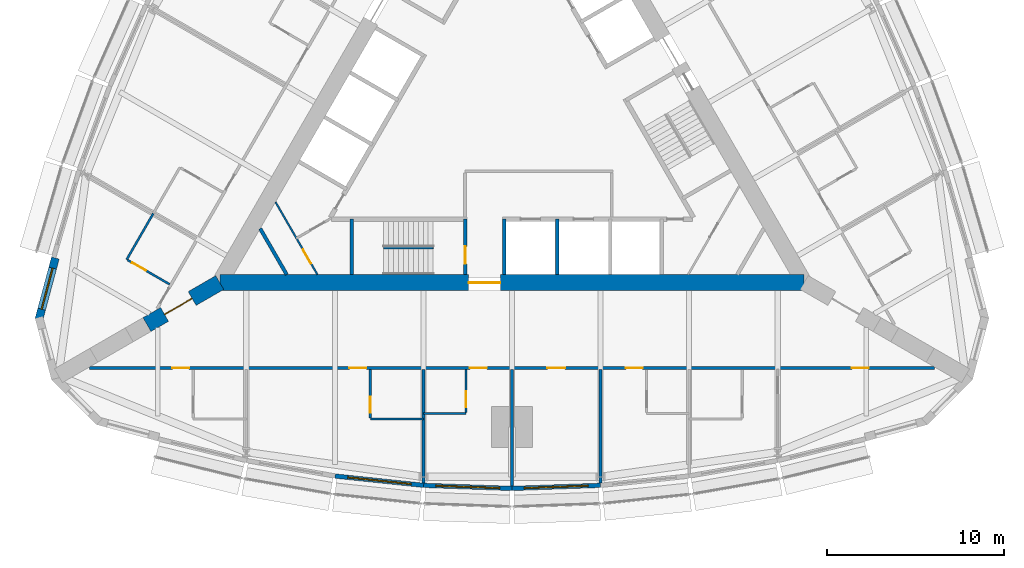
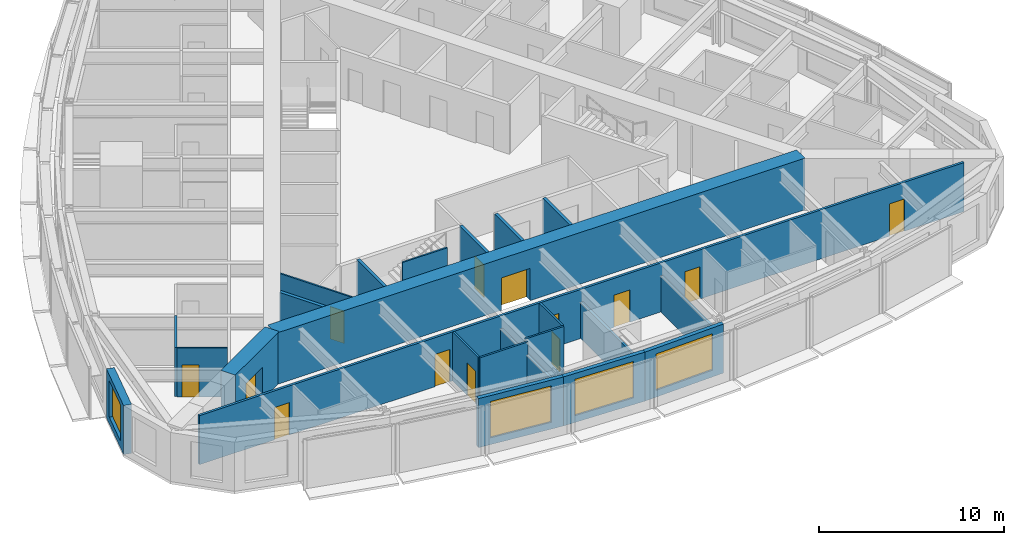
# One storey, part 8 of 14: 23 walls, 13 doors, 4 windows, 17 openings.
"""IFC4 building model written with IfcOpenShell, lengths in metres."""

from ifc_helpers import new_model, si_unit, direction, frame, frame_2d, origin, place, context, subcontext, project, spatial, rectangle, extrude, material, layer, layer_set, type_object, element, fill, save


model = new_model("IFC4")

# Units and contexts
model_context = context("Model", 3, precision=1e-05, world=origin(), true_north=direction((0.0, 1.0)))
body_context = subcontext(model_context, "Body", "Model", "MODEL_VIEW")
ifc_project = project(units=[si_unit("LENGTHUNIT", "METRE"), si_unit("AREAUNIT", "SQUARE_METRE"), si_unit("VOLUMEUNIT", "CUBIC_METRE"), si_unit("PLANEANGLEUNIT", "RADIAN"), si_unit("MASSUNIT", "GRAM", prefix="KILO")], contexts=[model_context])

# Site, building, storey
site_placement = place(None, origin())
site = spatial("IfcSite", under=ifc_project, at=site_placement, CompositionType="ELEMENT")
building_placement = place(site_placement, origin())
building = spatial("IfcBuilding", under=site, at=building_placement, Name="Trikona Tower", CompositionType="ELEMENT")
storey_placement = place(building_placement, frame((0.0, 0.0, 124.89990234375)))
storey = spatial("IfcBuildingStorey", under=building, at=storey_placement, Name="L32", CompositionType="ELEMENT", Elevation=124.89990234375)

# Wall
ifc_material_1 = material(Name="Metal stud and cement board", Category="gypsum")
ifc_layer_1 = layer(ifc_material_1, 0.1201171875)
ifc_layer_set_1 = layer_set([ifc_layer_1], Name="Bathroom wall 120")
wall_type_1 = type_object("IfcWallType", Name="Bathroom wall 120", PredefinedType="PLUMBINGWALL", material=ifc_layer_set_1)
wall_1_placement = place(storey_placement, frame((-8.0, -17.226318359375, 0.0), z_axis=(0.0, 0.0, 1.0), x_axis=(1.0, 0.0, 0.0)))
element("IfcWall", 1, at=wall_1_placement, inside=storey, type_object=wall_type_1, Name="Bathroom wall 3202", PredefinedType="PLUMBINGWALL", context=body_context, shape_type="SweptSolid", body=[
    extrude(rectangle(XDim=3.0, YDim=0.1201171875, at=frame_2d((1.5, 0.0))), origin(), (0.0, 0.0, 1.0), 3.235107421875),
])

# Wall, opening, door
wall_2_placement = place(storey_placement, frame((-8.0, -14.42626953125, 0.0), z_axis=(0.0, 0.0, 1.0), x_axis=(0.0, -1.0, 0.0)))
wall_2 = element("IfcWall", 2, at=wall_2_placement, inside=storey, type_object=wall_type_1, Name="Bathroom wall 3202", PredefinedType="PLUMBINGWALL", context=body_context, shape_type="SweptSolid", body=[
    extrude(rectangle(XDim=2.739990234375, YDim=0.1201171875, at=frame_2d((1.3701171875, 0.0))), origin(), (0.0, 0.0, 1.0), 3.235107421875),
])
opening_1_placement = place(wall_2_placement, frame((1.550048828125, 0.0, 0.0)))
opening_1 = element("IfcOpeningElement", 3, at=opening_1_placement, cuts=wall_2, Name="Opening D2", PredefinedType="OPENING", context=body_context, shape_type="SweptSolid", body=[
    extrude(rectangle(XDim=0.89990234375, YDim=2.1298828125, at=frame_2d((0.449951171875, 1.06494140625))), frame((0.0, 0.070068359375, 0.0), z_axis=(0.0, -1.0, 0.0), x_axis=(1.0, 0.0, 0.0)), (0.0, 0.0, 1.0), 0.14013671875),
])
ifc_material_2 = material(Name="Steel door frame with solid-core timber leaf", Category="steel")
door_type_1 = type_object("IfcDoorType", Name="Bathroom door 900x2130", OperationType="SLIDING_TO_LEFT", PredefinedType="DOOR", material=ifc_material_2)
door_1_placement = place(opening_1_placement, origin())
door_1 = element("IfcDoor", 4, at=door_1_placement, inside=storey, type_object=door_type_1, Name="Bathroom door 3202", OperationType="SLIDING_TO_LEFT", OverallHeight=2.1298828125, OverallWidth=0.89990234375, PredefinedType="DOOR", context=body_context, shape_type="SweptSolid", body=[
    extrude(rectangle(XDim=0.89990234375, YDim=2.1298828125, at=frame_2d((0.449951171875, 1.06494140625))), frame((0.0, 0.02490234375, 0.0), z_axis=(0.0, -1.0, 0.0), x_axis=(1.0, 0.0, 0.0)), (0.0, 0.0, 1.0), 0.050048828125),
])
fill(opening_1, door_1)

# Wall
wall_3_placement = place(storey_placement, frame((-5.0, -16.92626953125, 0.0), z_axis=(0.0, 0.0, 1.0), x_axis=(1.0, 0.0, 0.0)))
element("IfcWall", 5, at=wall_3_placement, inside=storey, type_object=wall_type_1, Name="Bathroom wall 3203", PredefinedType="PLUMBINGWALL", context=body_context, shape_type="SweptSolid", body=[
    extrude(rectangle(XDim=2.39990234375, YDim=0.1201171875, at=frame_2d((1.199951171875, 0.0))), origin(), (0.0, 0.0, 1.0), 3.235107421875),
])

# Wall, opening, door
wall_4_placement = place(storey_placement, frame((-2.60009765625, -14.42626953125, 0.0), z_axis=(0.0, 0.0, 1.0), x_axis=(0.0, -1.0, 0.0)))
wall_4 = element("IfcWall", 6, at=wall_4_placement, inside=storey, type_object=wall_type_1, Name="Bathroom wall 3203", PredefinedType="PLUMBINGWALL", context=body_context, shape_type="SweptSolid", body=[
    extrude(rectangle(XDim=2.43994140625, YDim=0.1201171875, at=frame_2d((1.219970703125, 0.0))), origin(), (0.0, 0.0, 1.0), 3.235107421875),
])
opening_2_placement = place(wall_4_placement, frame((1.25, 0.0, 0.0)))
opening_2 = element("IfcOpeningElement", 7, at=opening_2_placement, cuts=wall_4, Name="Opening D2", PredefinedType="OPENING", context=body_context, shape_type="SweptSolid", body=[
    extrude(rectangle(XDim=0.89990234375, YDim=2.1298828125, at=frame_2d((0.449951171875, 1.06494140625))), frame((0.0, 0.070068359375, 0.0), z_axis=(0.0, -1.0, 0.0), x_axis=(1.0, 0.0, 0.0)), (0.0, 0.0, 1.0), 0.14013671875),
])
door_2_placement = place(opening_2_placement, origin())
door_2 = element("IfcDoor", 8, at=door_2_placement, inside=storey, type_object=door_type_1, Name="Bathroom door 3203", OperationType="SLIDING_TO_LEFT", OverallHeight=2.1298828125, OverallWidth=0.89990234375, PredefinedType="DOOR", context=body_context, shape_type="SweptSolid", body=[
    extrude(rectangle(XDim=0.89990234375, YDim=2.1298828125, at=frame_2d((0.449951171875, 1.06494140625))), frame((0.0, 0.02490234375, 0.0), z_axis=(0.0, -1.0, 0.0), x_axis=(1.0, 0.0, 0.0)), (0.0, 0.0, 1.0), 0.050048828125),
])
fill(opening_2, door_2)

# Wall
wall_5_placement = place(storey_placement, frame((-20.25341796875, -5.627197265625, 0.0), z_axis=(0.0, 0.0, 1.0), x_axis=(-0.499990139034, -0.866031096941, 0.0)))
element("IfcWall", 9, at=wall_5_placement, inside=storey, type_object=wall_type_1, Name="Bathroom wall 3218", PredefinedType="PLUMBINGWALL", context=body_context, shape_type="SweptSolid", body=[
    extrude(rectangle(XDim=3.0, YDim=0.1201171875, at=frame_2d((1.5, 0.0))), origin(), (0.0, 0.0, 1.0), 3.235107421875),
])

# Wall, opening, door
wall_6_placement = place(storey_placement, frame((-19.32861328125, -9.625244140625, 0.0), z_axis=(0.0, 0.0, 1.0), x_axis=(-0.866035715982, 0.499982138324, 0.0)))
wall_6 = element("IfcWall", 10, at=wall_6_placement, inside=storey, type_object=wall_type_1, Name="Bathroom wall 3218", PredefinedType="PLUMBINGWALL", context=body_context, shape_type="SweptSolid", body=[
    extrude(rectangle(XDim=2.73974609375, YDim=0.1201171875, at=frame_2d((1.369873046875, 0.0))), origin(), (0.0, 0.0, 1.0), 3.235107421875),
])
opening_3_placement = place(wall_6_placement, frame((1.550048828125, 0.0, 0.0)))
opening_3 = element("IfcOpeningElement", 11, at=opening_3_placement, cuts=wall_6, Name="Opening D2", PredefinedType="OPENING", context=body_context, shape_type="SweptSolid", body=[
    extrude(rectangle(XDim=0.89990234375, YDim=2.1298828125, at=frame_2d((0.449951171875, 1.06494140625))), frame((0.0, 0.070068359375, 0.0), z_axis=(0.0, -1.0, 0.0), x_axis=(1.0, 0.0, 0.0)), (0.0, 0.0, 1.0), 0.14013671875),
])
door_3_placement = place(opening_3_placement, origin())
door_3 = element("IfcDoor", 12, at=door_3_placement, inside=storey, type_object=door_type_1, Name="Bathroom door 3218", OperationType="SLIDING_TO_LEFT", OverallHeight=2.1298828125, OverallWidth=0.89990234375, PredefinedType="DOOR", context=body_context, shape_type="SweptSolid", body=[
    extrude(rectangle(XDim=0.89990234375, YDim=2.1298828125, at=frame_2d((0.449951171875, 1.06494140625))), frame((0.0, 0.02490234375, 0.0), z_axis=(0.0, -1.0, 0.0), x_axis=(1.0, 0.0, 0.0)), (0.0, 0.0, 1.0), 0.050048828125),
])
fill(opening_3, door_3)

# Wall, opening, window
ifc_material_3 = material(Name="Brick-faced precast concrete", Category="masonry")
ifc_layer_2 = layer(ifc_material_3, 0.449951171875)
ifc_layer_set_2 = layer_set([ifc_layer_2], Name="Brick-faced corner wall 450")
wall_type_2 = type_object("IfcWallType", Name="Brick-faced corner wall 450", PredefinedType="SOLIDWALL", material=ifc_layer_set_2)
wall_7_placement = place(storey_placement, frame((-25.78271484375, -8.14111328125, 0.0), z_axis=(0.0, 0.0, 1.0), x_axis=(-0.258823421857, -0.965924653531, 0.0)))
wall_7 = element("IfcWall", 13, at=wall_7_placement, inside=storey, type_object=wall_type_2, Name="External wall L32-32", PredefinedType="SOLIDWALL", context=body_context, shape_type="SweptSolid", body=[
    extrude(rectangle(XDim=3.58642578125, YDim=0.449951171875, at=frame_2d((1.793212890625, 0.0))), origin(), (0.0, 0.0, 1.0), 3.235107421875),
])
opening_4_placement = place(wall_7_placement, frame((0.593017578125, 0.0, 0.449951171875)))
opening_4 = element("IfcOpeningElement", 14, at=opening_4_placement, cuts=wall_7, Name="Opening W2424", PredefinedType="OPENING", context=body_context, shape_type="SweptSolid", body=[
    extrude(rectangle(XDim=2.39990234375, YDim=2.39990234375, at=frame_2d((1.199951171875, 1.199951171875))), frame((0.0, 0.23486328125, 0.0), z_axis=(0.0, -1.0, 0.0), x_axis=(1.0, 0.0, 0.0)), (0.0, 0.0, 1.0), 0.469970703125),
])
ifc_material_4 = material(Name="Aluminium-framed double glazing", Category="aluminium")
window_type_1 = type_object("IfcWindowType", Name="Window 2400x2400", PartitioningType="SINGLE_PANEL", PredefinedType="WINDOW", material=ifc_material_4)
window_1_placement = place(opening_4_placement, origin())
window_1 = element("IfcWindow", 15, at=window_1_placement, inside=storey, type_object=window_type_1, Name="Window 3218", OverallHeight=2.39990234375, OverallWidth=2.39990234375, PartitioningType="SINGLE_PANEL", PredefinedType="WINDOW", context=body_context, shape_type="SweptSolid", body=[
    extrude(rectangle(XDim=2.39990234375, YDim=2.39990234375, at=frame_2d((1.199951171875, 1.199951171875))), frame((0.0, 0.030029296875, 0.0), z_axis=(0.0, -1.0, 0.0), x_axis=(1.0, 0.0, 0.0)), (0.0, 0.0, 1.0), 0.06005859375),
])
fill(opening_4, window_1)

# Wall, opening, door
ifc_material_5 = material(Name="Concrete f'c 10000 psi", Category="concrete")
ifc_layer_3 = layer(ifc_material_5, 0.89990234375)
ifc_layer_set_3 = layer_set([ifc_layer_3], Name="Buttress wall 900")
wall_type_3 = type_object("IfcWallType", Name="Buttress wall 900", PredefinedType="SHEAR", material=ifc_layer_set_3)
wall_8_placement = place(storey_placement, frame((-16.5, -9.5263671875, 0.0), z_axis=(0.0, 0.0, 1.0), x_axis=(-0.866031398331, -0.499989616998, 0.0)))
wall_8 = element("IfcWall", 16, at=wall_8_placement, inside=storey, type_object=wall_type_3, Name="Buttress wall 3", PredefinedType="SHEAR", context=body_context, shape_type="SweptSolid", body=[
    extrude(rectangle(XDim=4.74609375, YDim=0.89990234375, at=frame_2d((2.373046875, 0.0))), origin(), (0.0, 0.0, 1.0), 3.400146484375),
])
opening_5_placement = place(wall_8_placement, frame((1.800048828125, 0.0, 0.0)))
opening_5 = element("IfcOpeningElement", 17, at=opening_5_placement, cuts=wall_8, Name="Opening D10", PredefinedType="OPENING", context=body_context, shape_type="SweptSolid", body=[
    extrude(rectangle(XDim=1.800048828125, YDim=2.1298828125, at=frame_2d((0.89990234375, 1.06494140625))), frame((0.0, 0.4599609375, 0.0), z_axis=(0.0, -1.0, 0.0), x_axis=(1.0, 0.0, 0.0)), (0.0, 0.0, 1.0), 0.919921875),
])
ifc_material_6 = material(Name="Hollow metal door and frame", Category="steel")
door_type_2 = type_object("IfcDoorType", Name="Cross-corridor door pair 1800x2130", OperationType="DOUBLE_DOOR_DOUBLE_SWING", PredefinedType="DOOR", material=ifc_material_6)
door_4_placement = place(opening_5_placement, origin())
door_4 = element("IfcDoor", 18, at=door_4_placement, inside=storey, type_object=door_type_2, Name="Cross-corridor door 3", OperationType="DOUBLE_DOOR_DOUBLE_SWING", OverallHeight=2.1298828125, OverallWidth=1.800048828125, PredefinedType="DOOR", context=body_context, shape_type="SweptSolid", body=[
    extrude(rectangle(XDim=1.800048828125, YDim=2.1298828125, at=frame_2d((0.89990234375, 1.06494140625))), frame((0.0, 0.02490234375, 0.0), z_axis=(0.0, -1.0, 0.0), x_axis=(1.0, 0.0, 0.0)), (0.0, 0.0, 1.0), 0.050048828125),
])
fill(opening_5, door_4)

ifc_material_7 = material(Name="Concrete f'c 10000 psi", Category="concrete")
ifc_layer_4 = layer(ifc_material_7, 0.89990234375)
ifc_layer_set_4 = layer_set([ifc_layer_4], Name="Core wall 900")
wall_type_4 = type_object("IfcWallType", Name="Core wall 900", PredefinedType="SHEAR", material=ifc_layer_set_4)
wall_9_placement = place(storey_placement, frame((-16.5, -9.5263671875, 0.0), z_axis=(0.0, 0.0, 1.0), x_axis=(1.0, 0.0, 0.0)))
wall_9 = element("IfcWall", 19, at=wall_9_placement, inside=storey, type_object=wall_type_4, Name="Core wall A", PredefinedType="SHEAR", context=body_context, shape_type="SweptSolid", body=[
    extrude(rectangle(XDim=33.0, YDim=0.89990234375, at=frame_2d((16.5, 0.0))), origin(), (0.0, 0.0, 1.0), 3.400146484375),
])
opening_6_placement = place(wall_9_placement, frame((14.050048828125, 0.0, 0.0)))
opening_6 = element("IfcOpeningElement", 20, at=opening_6_placement, cuts=wall_9, Name="Opening D6", PredefinedType="OPENING", context=body_context, shape_type="SweptSolid", body=[
    extrude(rectangle(XDim=1.800048828125, YDim=2.1298828125, at=frame_2d((0.89990234375, 1.06494140625))), frame((0.0, 0.4599609375, 0.0), z_axis=(0.0, -1.0, 0.0), x_axis=(1.0, 0.0, 0.0)), (0.0, 0.0, 1.0), 0.919921875),
])
ifc_material_8 = material(Name="Hollow metal door and frame", Category="steel")
door_type_3 = type_object("IfcDoorType", Name="Lobby door pair 1800x2130", OperationType="DOUBLE_DOOR_SINGLE_SWING", PredefinedType="DOOR", material=ifc_material_8)
door_5_placement = place(opening_6_placement, origin())
door_5 = element("IfcDoor", 21, at=door_5_placement, inside=storey, type_object=door_type_3, Name="Fire service lift lobby door", OperationType="DOUBLE_DOOR_SINGLE_SWING", OverallHeight=2.1298828125, OverallWidth=1.800048828125, PredefinedType="DOOR", context=body_context, shape_type="SweptSolid", body=[
    extrude(rectangle(XDim=1.800048828125, YDim=2.1298828125, at=frame_2d((0.89990234375, 1.06494140625))), frame((0.0, 0.02490234375, 0.0), z_axis=(0.0, -1.0, 0.0), x_axis=(1.0, 0.0, 0.0)), (0.0, 0.0, 1.0), 0.050048828125),
])
fill(opening_6, door_5)

# Wall, openings, doors
ifc_material_9 = material(Name="Metal stud and gypsum board, 1-hour", Category="gypsum")
ifc_layer_5 = layer(ifc_material_9, 0.14990234375)
ifc_layer_set_5 = layer_set([ifc_layer_5], Name="Corridor wall 150")
wall_type_5 = type_object("IfcWallType", Name="Corridor wall 150", PredefinedType="PARTITIONING", material=ifc_layer_set_5)
wall_10_placement = place(storey_placement, frame((-23.857177734375, -14.351318359375, 0.0), z_axis=(0.0, 0.0, 1.0), x_axis=(1.0, 0.0, 0.0)))
wall_10 = element("IfcWall", 22, at=wall_10_placement, inside=storey, type_object=wall_type_5, Name="Corridor wall L32-1", PredefinedType="PARTITIONING", context=body_context, shape_type="SweptSolid", body=[
    extrude(rectangle(XDim=47.71435546875, YDim=0.14990234375, at=frame_2d((23.857177734375, 0.0))), origin(), (0.0, 0.0, 1.0), 3.235107421875),
])
opening_7_placement = place(wall_10_placement, frame((4.68212890625, 0.0, 0.0)))
opening_7 = element("IfcOpeningElement", 23, at=opening_7_placement, cuts=wall_10, Name="Opening D1", PredefinedType="OPENING", context=body_context, shape_type="SweptSolid", body=[
    extrude(rectangle(XDim=0.949951171875, YDim=2.1298828125, at=frame_2d((0.47509765625, 1.06494140625))), frame((0.0, 0.0849609375, 0.0), z_axis=(0.0, -1.0, 0.0), x_axis=(1.0, 0.0, 0.0)), (0.0, 0.0, 1.0), 0.169921875),
])
opening_8_placement = place(wall_10_placement, frame((14.68212890625, 0.0, 0.0)))
opening_8 = element("IfcOpeningElement", 24, at=opening_8_placement, cuts=wall_10, Name="Opening D1", PredefinedType="OPENING", context=body_context, shape_type="SweptSolid", body=[
    extrude(rectangle(XDim=0.949951171875, YDim=2.1298828125, at=frame_2d((0.47509765625, 1.06494140625))), frame((0.0, 0.0849609375, 0.0), z_axis=(0.0, -1.0, 0.0), x_axis=(1.0, 0.0, 0.0)), (0.0, 0.0, 1.0), 0.169921875),
])
opening_9_placement = place(wall_10_placement, frame((21.482177734375, 0.0, 0.0)))
opening_9 = element("IfcOpeningElement", 25, at=opening_9_placement, cuts=wall_10, Name="Opening D1", PredefinedType="OPENING", context=body_context, shape_type="SweptSolid", body=[
    extrude(rectangle(XDim=0.949951171875, YDim=2.1298828125, at=frame_2d((0.47509765625, 1.06494140625))), frame((0.0, 0.0849609375, 0.0), z_axis=(0.0, -1.0, 0.0), x_axis=(1.0, 0.0, 0.0)), (0.0, 0.0, 1.0), 0.169921875),
])
opening_10_placement = place(wall_10_placement, frame((25.857177734375, 0.0, 0.0)))
opening_10 = element("IfcOpeningElement", 26, at=opening_10_placement, cuts=wall_10, Name="Opening D3", PredefinedType="OPENING", context=body_context, shape_type="SweptSolid", body=[
    extrude(rectangle(XDim=1.0, YDim=2.1298828125, at=frame_2d((0.5, 1.06494140625))), frame((0.0, 0.0849609375, 0.0), z_axis=(0.0, -1.0, 0.0), x_axis=(1.0, 0.0, 0.0)), (0.0, 0.0, 1.0), 0.169921875),
])
opening_11_placement = place(wall_10_placement, frame((30.281982421875, 0.0, 0.0)))
opening_11 = element("IfcOpeningElement", 27, at=opening_11_placement, cuts=wall_10, Name="Opening D1", PredefinedType="OPENING", context=body_context, shape_type="SweptSolid", body=[
    extrude(rectangle(XDim=0.949951171875, YDim=2.1298828125, at=frame_2d((0.47509765625, 1.06494140625))), frame((0.0, 0.0849609375, 0.0), z_axis=(0.0, -1.0, 0.0), x_axis=(1.0, 0.0, 0.0)), (0.0, 0.0, 1.0), 0.169921875),
])
opening_12_placement = place(wall_10_placement, frame((43.041015625, 0.0, 0.0)))
opening_12 = element("IfcOpeningElement", 28, at=opening_12_placement, cuts=wall_10, Name="Opening D1", PredefinedType="OPENING", context=body_context, shape_type="SweptSolid", body=[
    extrude(rectangle(XDim=0.949951171875, YDim=2.1298828125, at=frame_2d((0.47509765625, 1.06494140625))), frame((0.0, 0.0849609375, 0.0), z_axis=(0.0, -1.0, 0.0), x_axis=(1.0, 0.0, 0.0)), (0.0, 0.0, 1.0), 0.169921875),
])
ifc_material_10 = material(Name="Steel door frame with solid-core timber leaf", Category="steel")
door_type_4 = type_object("IfcDoorType", Name="Guest room door 950x2130", OperationType="SINGLE_SWING_LEFT", PredefinedType="DOOR", material=ifc_material_10)
door_6_placement = place(opening_7_placement, origin())
door_6 = element("IfcDoor", 29, at=door_6_placement, inside=storey, type_object=door_type_4, Name="Room door 3201", OperationType="SINGLE_SWING_LEFT", OverallHeight=2.1298828125, OverallWidth=0.949951171875, PredefinedType="DOOR", context=body_context, shape_type="SweptSolid", body=[
    extrude(rectangle(XDim=0.949951171875, YDim=2.1298828125, at=frame_2d((0.47509765625, 1.06494140625))), frame((0.0, 0.02490234375, 0.0), z_axis=(0.0, -1.0, 0.0), x_axis=(1.0, 0.0, 0.0)), (0.0, 0.0, 1.0), 0.050048828125),
])
fill(opening_7, door_6)
door_7_placement = place(opening_8_placement, origin())
door_7 = element("IfcDoor", 30, at=door_7_placement, inside=storey, type_object=door_type_4, Name="Room door 3202", OperationType="SINGLE_SWING_RIGHT", OverallHeight=2.1298828125, OverallWidth=0.949951171875, PredefinedType="DOOR", context=body_context, shape_type="SweptSolid", body=[
    extrude(rectangle(XDim=0.949951171875, YDim=2.1298828125, at=frame_2d((0.47509765625, 1.06494140625))), frame((0.0, 0.02490234375, 0.0), z_axis=(0.0, -1.0, 0.0), x_axis=(1.0, 0.0, 0.0)), (0.0, 0.0, 1.0), 0.050048828125),
])
fill(opening_8, door_7)
door_8_placement = place(opening_9_placement, origin())
door_8 = element("IfcDoor", 31, at=door_8_placement, inside=storey, type_object=door_type_4, Name="Room door 3203", OperationType="SINGLE_SWING_LEFT", OverallHeight=2.1298828125, OverallWidth=0.949951171875, PredefinedType="DOOR", context=body_context, shape_type="SweptSolid", body=[
    extrude(rectangle(XDim=0.949951171875, YDim=2.1298828125, at=frame_2d((0.47509765625, 1.06494140625))), frame((0.0, 0.02490234375, 0.0), z_axis=(0.0, -1.0, 0.0), x_axis=(1.0, 0.0, 0.0)), (0.0, 0.0, 1.0), 0.050048828125),
])
fill(opening_9, door_8)
door_9_placement = place(opening_11_placement, origin())
door_9 = element("IfcDoor", 32, at=door_9_placement, inside=storey, type_object=door_type_4, Name="Room door 3204", OperationType="SINGLE_SWING_LEFT", OverallHeight=2.1298828125, OverallWidth=0.949951171875, PredefinedType="DOOR", context=body_context, shape_type="SweptSolid", body=[
    extrude(rectangle(XDim=0.949951171875, YDim=2.1298828125, at=frame_2d((0.47509765625, 1.06494140625))), frame((0.0, 0.02490234375, 0.0), z_axis=(0.0, -1.0, 0.0), x_axis=(1.0, 0.0, 0.0)), (0.0, 0.0, 1.0), 0.050048828125),
])
fill(opening_11, door_9)
door_10_placement = place(opening_12_placement, origin())
door_10 = element("IfcDoor", 33, at=door_10_placement, inside=storey, type_object=door_type_4, Name="Room door 3205", OperationType="SINGLE_SWING_RIGHT", OverallHeight=2.1298828125, OverallWidth=0.949951171875, PredefinedType="DOOR", context=body_context, shape_type="SweptSolid", body=[
    extrude(rectangle(XDim=0.949951171875, YDim=2.1298828125, at=frame_2d((0.47509765625, 1.06494140625))), frame((0.0, 0.02490234375, 0.0), z_axis=(0.0, -1.0, 0.0), x_axis=(1.0, 0.0, 0.0)), (0.0, 0.0, 1.0), 0.050048828125),
])
fill(opening_12, door_10)
ifc_material_11 = material(Name="Steel door frame with solid-core timber leaf", Category="steel")
door_type_5 = type_object("IfcDoorType", Name="Room door 1000x2130", OperationType="SINGLE_SWING_LEFT", PredefinedType="DOOR", material=ifc_material_11)
door_11_placement = place(opening_10_placement, origin())
door_11 = element("IfcDoor", 34, at=door_11_placement, inside=storey, type_object=door_type_5, Name="Door Housekeeping pantry", OperationType="SINGLE_SWING_RIGHT", OverallHeight=2.1298828125, OverallWidth=1.0, PredefinedType="DOOR", context=body_context, shape_type="SweptSolid", body=[
    extrude(rectangle(XDim=1.0, YDim=2.1298828125, at=frame_2d((0.5, 1.06494140625))), frame((0.0, 0.02490234375, 0.0), z_axis=(0.0, -1.0, 0.0), x_axis=(1.0, 0.0, 0.0)), (0.0, 0.0, 1.0), 0.050048828125),
])
fill(opening_10, door_11)

# Wall, opening, window
ifc_material_12 = material(Name="Insulated precast concrete spandrel panel", Category="concrete")
ifc_layer_6 = layer(ifc_material_12, 0.25)
ifc_layer_set_6 = layer_set([ifc_layer_6], Name="Inner skin wall 250")
wall_type_6 = type_object("IfcWallType", Name="Inner skin wall 250", PredefinedType="STANDARD", material=ifc_layer_set_6)
wall_11_placement = place(storey_placement, frame((-9.98681640625, -20.450927734375, 0.0), z_axis=(0.0, 0.0, 1.0), x_axis=(0.994534683851, -0.104406717299, 0.0)))
wall_11 = element("IfcWall", 35, at=wall_11_placement, inside=storey, type_object=wall_type_6, Name="External wall L32-02", PredefinedType="STANDARD", context=body_context, shape_type="SweptSolid", body=[
    extrude(rectangle(XDim=5.027587890625, YDim=0.25, at=frame_2d((2.513671875, 0.0))), origin(), (0.0, 0.0, 1.0), 3.235107421875),
])
opening_13_placement = place(wall_11_placement, frame((0.713623046875, 0.0, 0.449951171875)))
opening_13 = element("IfcOpeningElement", 36, at=opening_13_placement, cuts=wall_11, Name="Opening W3624", PredefinedType="OPENING", context=body_context, shape_type="SweptSolid", body=[
    extrude(rectangle(XDim=3.60009765625, YDim=2.39990234375, at=frame_2d((1.800048828125, 1.199951171875))), frame((0.0, 0.135009765625, 0.0), z_axis=(0.0, -1.0, 0.0), x_axis=(1.0, 0.0, 0.0)), (0.0, 0.0, 1.0), 0.27001953125),
])
ifc_material_13 = material(Name="Aluminium-framed double glazing", Category="aluminium")
window_type_2 = type_object("IfcWindowType", Name="Window 3600x2400", PartitioningType="SINGLE_PANEL", PredefinedType="WINDOW", material=ifc_material_13)
window_2_placement = place(opening_13_placement, origin())
window_2 = element("IfcWindow", 37, at=window_2_placement, inside=storey, type_object=window_type_2, Name="Window 3202", OverallHeight=2.39990234375, OverallWidth=3.60009765625, PartitioningType="SINGLE_PANEL", PredefinedType="WINDOW", context=body_context, shape_type="SweptSolid", body=[
    extrude(rectangle(XDim=3.60009765625, YDim=2.39990234375, at=frame_2d((1.800048828125, 1.199951171875))), frame((0.0, 0.030029296875, 0.0), z_axis=(0.0, -1.0, 0.0), x_axis=(1.0, 0.0, 0.0)), (0.0, 0.0, 1.0), 0.06005859375),
])
fill(opening_13, window_2)

wall_12_placement = place(storey_placement, frame((-4.99560546875, -20.975341796875, 0.0), z_axis=(0.0, 0.0, 1.0), x_axis=(0.999387720943, -0.034988329879, 0.0)))
wall_12 = element("IfcWall", 38, at=wall_12_placement, inside=storey, type_object=wall_type_6, Name="External wall L32-03", PredefinedType="STANDARD", context=body_context, shape_type="SweptSolid", body=[
    extrude(rectangle(XDim=5.003173828125, YDim=0.25, at=frame_2d((2.50146484375, 0.0))), origin(), (0.0, 0.0, 1.0), 3.235107421875),
])
opening_14_placement = place(wall_12_placement, frame((0.701416015625, 0.0, 0.449951171875)))
opening_14 = element("IfcOpeningElement", 39, at=opening_14_placement, cuts=wall_12, Name="Opening W3624", PredefinedType="OPENING", context=body_context, shape_type="SweptSolid", body=[
    extrude(rectangle(XDim=3.60009765625, YDim=2.39990234375, at=frame_2d((1.800048828125, 1.199951171875))), frame((0.0, 0.135009765625, 0.0), z_axis=(0.0, -1.0, 0.0), x_axis=(1.0, 0.0, 0.0)), (0.0, 0.0, 1.0), 0.27001953125),
])
window_3_placement = place(opening_14_placement, origin())
window_3 = element("IfcWindow", 40, at=window_3_placement, inside=storey, type_object=window_type_2, Name="Window 3203", OverallHeight=2.39990234375, OverallWidth=3.60009765625, PartitioningType="SINGLE_PANEL", PredefinedType="WINDOW", context=body_context, shape_type="SweptSolid", body=[
    extrude(rectangle(XDim=3.60009765625, YDim=2.39990234375, at=frame_2d((1.800048828125, 1.199951171875))), frame((0.0, 0.030029296875, 0.0), z_axis=(0.0, -1.0, 0.0), x_axis=(1.0, 0.0, 0.0)), (0.0, 0.0, 1.0), 0.06005859375),
])
fill(opening_14, window_3)

wall_13_placement = place(storey_placement, frame((-0.00439453125, -21.150390625, 0.0), z_axis=(0.0, 0.0, 1.0), x_axis=(0.999387720943, 0.034988329879, 0.0)))
wall_13 = element("IfcWall", 41, at=wall_13_placement, inside=storey, type_object=wall_type_6, Name="External wall L32-04", PredefinedType="STANDARD", context=body_context, shape_type="SweptSolid", body=[
    extrude(rectangle(XDim=5.003173828125, YDim=0.25, at=frame_2d((2.50146484375, 0.0))), origin(), (0.0, 0.0, 1.0), 3.235107421875),
])
opening_15_placement = place(wall_13_placement, frame((0.701416015625, 0.0, 0.449951171875)))
opening_15 = element("IfcOpeningElement", 42, at=opening_15_placement, cuts=wall_13, Name="Opening W3624", PredefinedType="OPENING", context=body_context, shape_type="SweptSolid", body=[
    extrude(rectangle(XDim=3.60009765625, YDim=2.39990234375, at=frame_2d((1.800048828125, 1.199951171875))), frame((0.0, 0.135009765625, 0.0), z_axis=(0.0, -1.0, 0.0), x_axis=(1.0, 0.0, 0.0)), (0.0, 0.0, 1.0), 0.27001953125),
])
window_4_placement = place(opening_15_placement, origin())
window_4 = element("IfcWindow", 43, at=window_4_placement, inside=storey, type_object=window_type_2, Name="Window L32-HKP", OverallHeight=2.39990234375, OverallWidth=3.60009765625, PartitioningType="SINGLE_PANEL", PredefinedType="WINDOW", context=body_context, shape_type="SweptSolid", body=[
    extrude(rectangle(XDim=3.60009765625, YDim=2.39990234375, at=frame_2d((1.800048828125, 1.199951171875))), frame((0.0, 0.030029296875, 0.0), z_axis=(0.0, -1.0, 0.0), x_axis=(1.0, 0.0, 0.0)), (0.0, 0.0, 1.0), 0.06005859375),
])
fill(opening_15, window_4)

# Walls
ifc_material_14 = material(Name="Metal stud and gypsum board, 1-hour acoustic", Category="gypsum")
ifc_layer_7 = layer(ifc_material_14, 0.14990234375)
ifc_layer_set_7 = layer_set([ifc_layer_7], Name="Party wall 150")
wall_type_7 = type_object("IfcWallType", Name="Party wall 150", PredefinedType="PARTITIONING", material=ifc_layer_set_7)
wall_14_placement = place(storey_placement, frame((-5.0, -14.42626953125, 0.0), z_axis=(0.0, 0.0, 1.0), x_axis=(0.0, -1.0, 0.0)))
element("IfcWall", 44, at=wall_14_placement, inside=storey, type_object=wall_type_7, Name="Partition L32 F1 u-5", PredefinedType="PARTITIONING", context=body_context, shape_type="SweptSolid", body=[
    extrude(rectangle(XDim=6.422607421875, YDim=0.14990234375, at=frame_2d((3.21142578125, 0.0))), origin(), (0.0, 0.0, 1.0), 2.389404296875),
])
wall_15_placement = place(storey_placement, frame((0.0, -14.42626953125, 0.0), z_axis=(0.0, 0.0, 1.0), x_axis=(0.0, -1.0, 0.0)))
element("IfcWall", 45, at=wall_15_placement, inside=storey, type_object=wall_type_7, Name="Partition L32 F1 u-9.86076e-31", PredefinedType="PARTITIONING", context=body_context, shape_type="SweptSolid", body=[
    extrude(rectangle(XDim=6.5986328125, YDim=0.14990234375, at=frame_2d((3.29931640625, 0.0))), origin(), (0.0, 0.0, 1.0), 2.389404296875),
])
wall_16_placement = place(storey_placement, frame((5.0, -14.42626953125, 0.0), z_axis=(0.0, 0.0, 1.0), x_axis=(0.0, -1.0, 0.0)))
element("IfcWall", 46, at=wall_16_placement, inside=storey, type_object=wall_type_7, Name="Partition L32 F1 u5", PredefinedType="PARTITIONING", context=body_context, shape_type="SweptSolid", body=[
    extrude(rectangle(XDim=6.422607421875, YDim=0.14990234375, at=frame_2d((3.21142578125, 0.0))), origin(), (0.0, 0.0, 1.0), 2.389404296875),
])
ifc_material_15 = material(Name="Concrete f'c 8000 psi", Category="concrete")
ifc_layer_8 = layer(ifc_material_15, 0.199951171875)
ifc_layer_set_8 = layer_set([ifc_layer_8], Name="Shaft wall 200")
wall_type_8 = type_object("IfcWallType", Name="Shaft wall 200", PredefinedType="SOLIDWALL", material=ifc_layer_set_8)
for number, where, z_axis, x_axis, name in (
    (47, (-0.449951171875, -5.951416015625, 0.0), (0.0, 0.0, 1.0), (0.0, -1.0, 0.0), "Shaft wall A3"),
    (48, (2.550048828125, -5.951416015625, 0.0), (0.0, 0.0, 1.0), (0.0, -1.0, 0.0), "Shaft wall A4"),
):
    element("IfcWall", number, at=place(storey_placement, frame(where, z_axis=z_axis, x_axis=x_axis)), inside=storey, type_object=wall_type_8, Name=name, PredefinedType="SOLIDWALL", context=body_context, shape_type="SweptSolid", body=[
        extrude(rectangle(XDim=3.125, YDim=0.199951171875, at=frame_2d((1.5625, 0.0))), origin(), (0.0, 0.0, 1.0), 3.235107421875),
    ])
wall_17_placement = place(storey_placement, frame((-12.718505859375, -9.076416015625, 0.0), z_axis=(0.0, 0.0, 1.0), x_axis=(-0.499952404951, 0.866052881055, 0.0)))
element("IfcWall", 49, at=wall_17_placement, inside=storey, type_object=wall_type_8, Name="Riser wall L32-RS3", PredefinedType="SOLIDWALL", context=body_context, shape_type="SweptSolid", body=[
    extrude(rectangle(XDim=3.002197265625, YDim=0.199951171875, at=frame_2d((1.5009765625, 0.0))), origin(), (0.0, 0.0, 1.0), 3.235107421875),
])
ifc_material_16 = material(Name="Concrete f'c 8000 psi", Category="concrete")
ifc_layer_9 = layer(ifc_material_16, 0.199951171875)
ifc_layer_set_9 = layer_set([ifc_layer_9], Name="Shaft wall 200 load-bearing")
wall_type_9 = type_object("IfcWallType", Name="Shaft wall 200 load-bearing", PredefinedType="SOLIDWALL", material=ifc_layer_set_9)
wall_18_placement = place(storey_placement, frame((-9.050048828125, -5.951416015625, 0.0), z_axis=(0.0, 0.0, 1.0), x_axis=(0.0, -1.0, 0.0)))
element("IfcWall", 50, at=wall_18_placement, inside=storey, type_object=wall_type_9, Name="Shaft wall A1", PredefinedType="SOLIDWALL", context=body_context, shape_type="SweptSolid", body=[
    extrude(rectangle(XDim=3.125, YDim=0.199951171875, at=frame_2d((1.5625, 0.0))), origin(), (0.0, 0.0, 1.0), 3.235107421875),
])

# Wall, opening, door
wall_19_placement = place(storey_placement, frame((-2.64990234375, -5.951416015625, 0.0), z_axis=(0.0, 0.0, 1.0), x_axis=(0.0, -1.0, 0.0)))
wall_19 = element("IfcWall", 51, at=wall_19_placement, inside=storey, type_object=wall_type_9, Name="Shaft wall A2", PredefinedType="SOLIDWALL", context=body_context, shape_type="SweptSolid", body=[
    extrude(rectangle(XDim=3.125, YDim=0.199951171875, at=frame_2d((1.5625, 0.0))), origin(), (0.0, 0.0, 1.0), 3.235107421875),
])
opening_16_placement = place(wall_19_placement, frame((1.52490234375, 0.0, 0.0)))
opening_16 = element("IfcOpeningElement", 52, at=opening_16_placement, cuts=wall_19, Name="Opening D5", PredefinedType="OPENING", context=body_context, shape_type="SweptSolid", body=[
    extrude(rectangle(XDim=1.0, YDim=2.1298828125, at=frame_2d((0.5, 1.06494140625))), frame((0.0, 0.10986328125, 0.0), z_axis=(0.0, -1.0, 0.0), x_axis=(1.0, 0.0, 0.0)), (0.0, 0.0, 1.0), 0.219970703125),
])
ifc_material_17 = material(Name="Hollow metal door and frame", Category="steel")
door_type_6 = type_object("IfcDoorType", Name="Stair door 1000x2130", OperationType="SINGLE_SWING_LEFT", PredefinedType="DOOR", material=ifc_material_17)
door_12_placement = place(opening_16_placement, origin())
door_12 = element("IfcDoor", 53, at=door_12_placement, inside=storey, type_object=door_type_6, Name="Stair A door", OperationType="SINGLE_SWING_RIGHT", OverallHeight=2.1298828125, OverallWidth=1.0, PredefinedType="DOOR", context=body_context, shape_type="SweptSolid", body=[
    extrude(rectangle(XDim=1.0, YDim=2.1298828125, at=frame_2d((0.5, 1.06494140625))), frame((0.0, 0.02490234375, 0.0), z_axis=(0.0, -1.0, 0.0), x_axis=(1.0, 0.0, 0.0)), (0.0, 0.0, 1.0), 0.050048828125),
])
fill(opening_16, door_12)

# Wall
ifc_material_18 = material(Name="Concrete f'c 5000 psi", Category="concrete")
ifc_layer_10 = layer(ifc_material_18, 0.10009765625)
ifc_layer_set_10 = layer_set([ifc_layer_10], Name="Stair spine wall 100")
wall_type_10 = type_object("IfcWallType", Name="Stair spine wall 100", PredefinedType="SOLIDWALL", material=ifc_layer_set_10)
wall_20_placement = place(storey_placement, frame((-7.2470703125, -7.576416015625, 0.0), z_axis=(0.0, 0.0, 1.0), x_axis=(1.0, 0.0, 0.0)))
element("IfcWall", 54, at=wall_20_placement, inside=storey, type_object=wall_type_10, Name="Stair A spine wall L32", PredefinedType="SOLIDWALL", context=body_context, shape_type="SweptSolid", body=[
    extrude(rectangle(XDim=2.794189453125, YDim=0.10009765625, at=frame_2d((1.39697265625, 0.0))), origin(), (0.0, 0.0, 1.0), 3.400146484375),
])

# Wall, opening, door
ifc_material_19 = material(Name="Metal stud and gypsum board, acoustic", Category="gypsum")
ifc_layer_11 = layer(ifc_material_19, 0.10009765625)
ifc_layer_set_11 = layer_set([ifc_layer_11], Name="Suite partition 100")
wall_type_11 = type_object("IfcWallType", Name="Suite partition 100", PredefinedType="PARTITIONING", material=ifc_layer_set_11)
wall_21_placement = place(storey_placement, frame((-10.986328125, -9.076416015625, 0.0), z_axis=(0.0, 0.0, 1.0), x_axis=(-0.499999210213, 0.866025859768, 0.0)))
wall_21 = element("IfcWall", 55, at=wall_21_placement, inside=storey, type_object=wall_type_11, Name="Store partition L32-RS3", PredefinedType="PARTITIONING", context=body_context, shape_type="SweptSolid", body=[
    extrude(rectangle(XDim=4.734375, YDim=0.10009765625, at=frame_2d((2.3671875, 0.0))), origin(), (0.0, 0.0, 1.0), 3.235107421875),
])
opening_17_placement = place(wall_21_placement, frame((0.733642578125, 0.0, 0.0)))
opening_17 = element("IfcOpeningElement", 56, at=opening_17_placement, cuts=wall_21, Name="Opening D15", PredefinedType="OPENING", context=body_context, shape_type="SweptSolid", body=[
    extrude(rectangle(XDim=0.89990234375, YDim=2.1298828125, at=frame_2d((0.449951171875, 1.06494140625))), frame((0.0, 0.06005859375, 0.0), z_axis=(0.0, -1.0, 0.0), x_axis=(1.0, 0.0, 0.0)), (0.0, 0.0, 1.0), 0.1201171875),
])
ifc_material_20 = material(Name="Steel door frame with solid-core timber leaf", Category="steel")
door_type_7 = type_object("IfcDoorType", Name="Store door 900x2130", OperationType="SINGLE_SWING_LEFT", PredefinedType="DOOR", material=ifc_material_20)
door_13_placement = place(opening_17_placement, origin())
door_13 = element("IfcDoor", 57, at=door_13_placement, inside=storey, type_object=door_type_7, Name="Door Cleaner's store CLN", OperationType="SINGLE_SWING_LEFT", OverallHeight=2.1298828125, OverallWidth=0.89990234375, PredefinedType="DOOR", context=body_context, shape_type="SweptSolid", body=[
    extrude(rectangle(XDim=0.89990234375, YDim=2.1298828125, at=frame_2d((0.449951171875, 1.06494140625))), frame((0.0, 0.02490234375, 0.0), z_axis=(0.0, -1.0, 0.0), x_axis=(1.0, 0.0, 0.0)), (0.0, 0.0, 1.0), 0.050048828125),
])
fill(opening_17, door_13)

save(model, "model.ifc")
